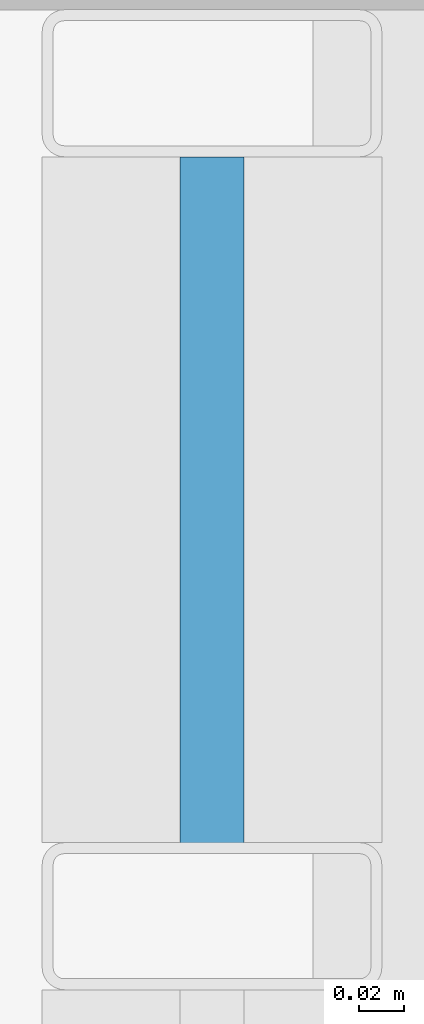
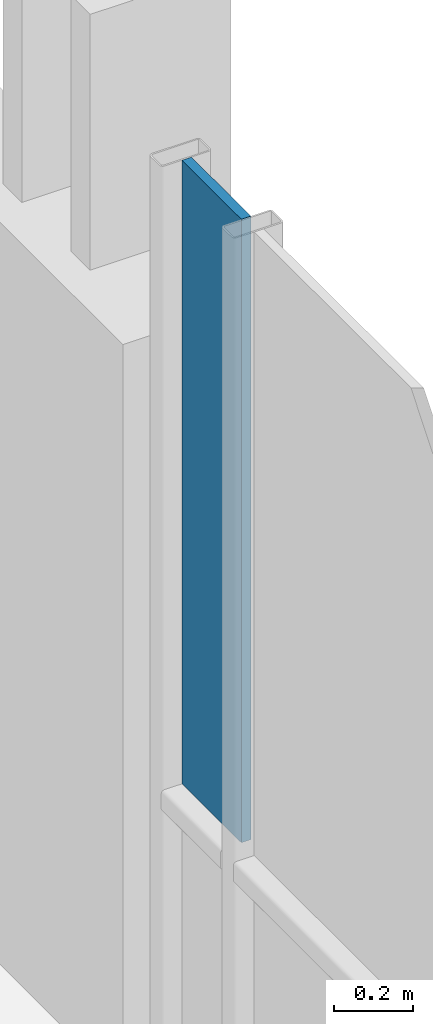
# One storey, part 28 of 41: 1 plate, 1 element without a shape of its own.
"""IFC4 building model written with IfcOpenShell, lengths in metres."""

from ifc_helpers import new_model, si_unit, direction, frame, origin, origin_2d, place, context, subcontext, project, spatial, rectangle, extrude, material, layer, layer_set, type_object, element, aggregate, save


model = new_model("IFC4")

# Units and contexts
model_context = context("Model", 3, precision=1e-05, world=origin(), true_north=direction((0.0, 1.0)))
body_context = subcontext(model_context, "Body", "Model", "MODEL_VIEW")
ifc_project = project(units=[si_unit("LENGTHUNIT", "METRE"), si_unit("AREAUNIT", "SQUARE_METRE"), si_unit("VOLUMEUNIT", "CUBIC_METRE"), si_unit("PLANEANGLEUNIT", "RADIAN"), si_unit("MASSUNIT", "GRAM", prefix="KILO")], contexts=[model_context])

# Site, building, storey
site_placement = place(None, origin())
site = spatial("IfcSite", under=ifc_project, at=site_placement, CompositionType="ELEMENT")
building_placement = place(site_placement, origin())
building = spatial("IfcBuilding", under=site, at=building_placement, Name="Brevholm Reach", CompositionType="ELEMENT")
storey_placement = place(building_placement, frame((0.0, 0.0, 55.89990234375)))
storey = spatial("IfcBuildingStorey", under=building, at=storey_placement, Name="L15", CompositionType="ELEMENT", Elevation=55.89990234375)

# Curtain wall, plate
ifc_material_1 = material(Name="Dark Anodised Aluminium 6063-T6 and Solar-Control Glass", Category="aluminium")
ifc_layer_1 = layer(ifc_material_1, 0.14990234375)
ifc_layer_set_1 = layer_set([ifc_layer_1], Name="Dark Anodised Aluminium 6063-T6 and Solar-Control Glass")
curtain_wall_type = type_object("IfcCurtainWallType", Name="CW-01", PredefinedType="NOTDEFINED", material=ifc_layer_set_1)
curtain_wall_placement = place(storey_placement, origin())
curtain_wall = element("IfcCurtainWall", 1, at=curtain_wall_placement, inside=storey, type_object=curtain_wall_type, Name="L15 Curtain Wall CW-01", PredefinedType="NOTDEFINED")
ifc_material_2 = material(Name="Dark Solar-Control Double-Glazed IGU Glass", Category="glass")
ifc_layer_2 = layer(ifc_material_2, 0.028076171875)
ifc_layer_set_2 = layer_set([ifc_layer_2], Name="Dark Solar-Control Double-Glazed IGU Glass")
plate_type = type_object("IfcPlateType", Name="CWP-GLZ-28", PredefinedType="CURTAIN_PANEL", material=ifc_layer_set_2)
plate_placement = place(storey_placement, frame((59.85009765625, 22.733642578125, 0.9326171875), z_axis=(0.0, 0.0, 1.0), x_axis=(0.0, 1.0, 0.0)))
plate = element("IfcPlate", 2, at=plate_placement, type_object=plate_type, Name="CP-01 Glazing Panel 5.2", PredefinedType="CURTAIN_PANEL", context=body_context, shape_type="SweptSolid", body=[
    extrude(rectangle(XDim=0.302490234375, YDim=0.028076171875, at=origin_2d()), origin(), (0.0, 0.0, 1.0), 1.9375),
])
aggregate(curtain_wall, [plate])

save(model, "model.ifc")
